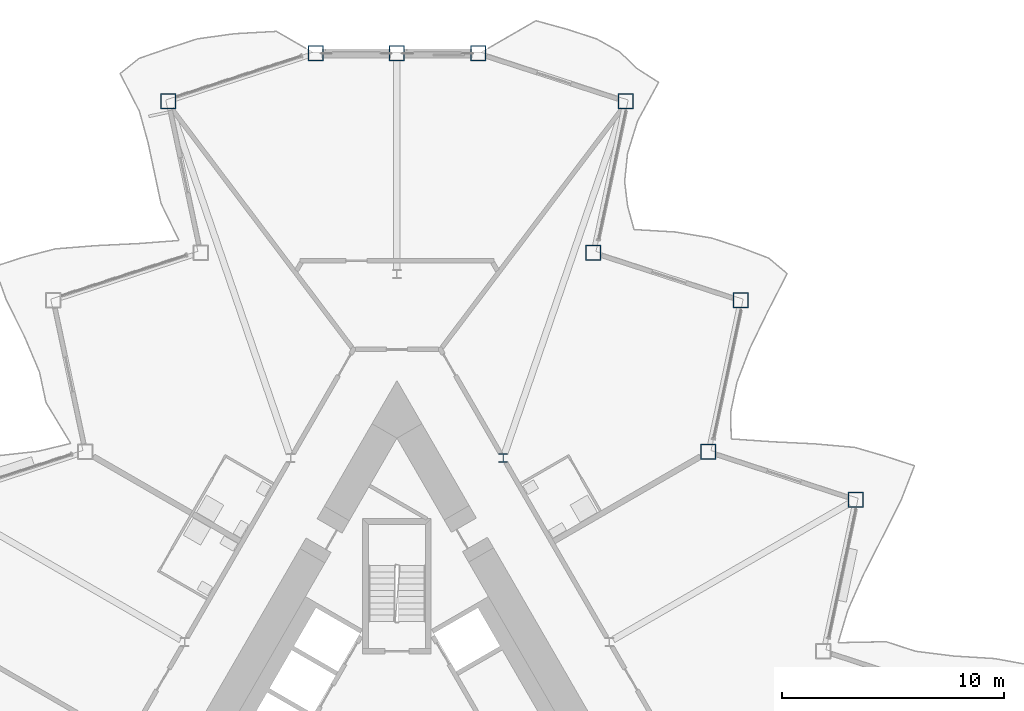
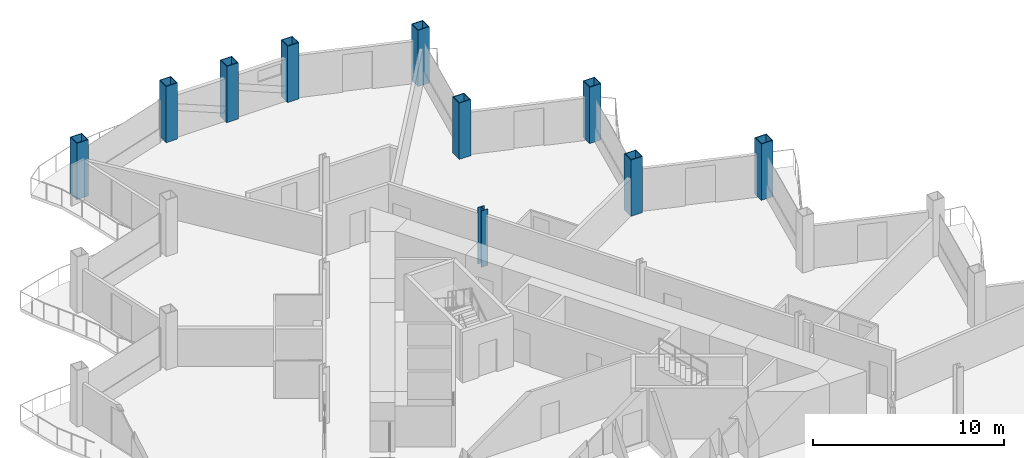
# One storey, part 3 of 24: 10 columns.
"""IFC4 building model written with IfcOpenShell, lengths in metres."""

from ifc_helpers import new_model, si_unit, direction, frame, origin, origin_2d, place, context, subcontext, project, spatial, hollow_rectangle, i_section, extrude, material, material_profile, profile_set, type_object, element, save


model = new_model("IFC4")

# Units and contexts
model_context = context("Model", 3, precision=1e-05, world=origin(), true_north=direction((0.0, 1.0)))
body_context = subcontext(model_context, "Body", "Model", "MODEL_VIEW")
ifc_project = project(units=[si_unit("LENGTHUNIT", "METRE"), si_unit("AREAUNIT", "SQUARE_METRE"), si_unit("VOLUMEUNIT", "CUBIC_METRE"), si_unit("PLANEANGLEUNIT", "RADIAN"), si_unit("MASSUNIT", "GRAM", prefix="KILO")], contexts=[model_context])

# Site, building, storey
site_placement = place(None, origin())
site = spatial("IfcSite", under=ifc_project, at=site_placement, CompositionType="ELEMENT")
building_placement = place(site_placement, origin())
building = spatial("IfcBuilding", under=site, at=building_placement, Name="Cormorant Prow Tower", CompositionType="ELEMENT")
storey_placement = place(building_placement, frame((0.0, 0.0, 274.199951171875)))
storey = spatial("IfcBuildingStorey", under=building, at=storey_placement, Name="L62", CompositionType="ELEMENT", Elevation=274.199951171875)

# Columns
ifc_material_1 = material(Name="Structural steel ASTM A572 Gr 50", Category="steel")
ifc_material_profile_1 = material_profile(ifc_material_1, hollow_rectangle(XDim=0.699951171875, YDim=0.699951171875, WallThickness=0.044921875, at=origin_2d()), Name="Box 700x700x45")
ifc_profile_set_1 = profile_set([ifc_material_profile_1], Name="Structural steel ASTM A572 Gr 50")
column_type_1 = type_object("IfcColumnType", Name="Perimeter box column 700x700x45", PredefinedType="COLUMN", material=ifc_profile_set_1)
for number, where, z_axis, x_axis, name in (
    (1, (20.686767578125, 11.943359375, 0.0), (0.0, 0.0, 1.0), (1.0, 0.0, 0.0), "Perimeter column C5 at ENE05 L62"),
    (2, (14.046875, 14.100830078125, 0.0), (0.0, 0.0, 1.0), (1.0, 0.0, 0.0), "Perimeter column C5 at ENE06 L62"),
    (3, (15.49853515625, 20.9296875, 0.0), (0.0, 0.0, 1.0), (1.0, 0.0, 0.0), "Perimeter column C5 at ENE07 L62"),
    (4, (8.858642578125, 23.087158203125, 0.0), (0.0, 0.0, 1.0), (1.0, 0.0, 0.0), "Perimeter column C5 at ENE08 L62"),
    (5, (10.310302734375, 29.916015625, 0.0), (0.0, 0.0, 1.0), (1.0, 0.0, 0.0), "Perimeter column C5 at ENE09 L62"),
    (6, (3.67041015625, 32.073486328125, 0.0), (0.0, 0.0, 1.0), (1.0, 0.0, 0.0), "Perimeter column C5 at N00 L62"),
    (7, (0.0, 32.073486328125, 0.0), (0.0, 0.0, 1.0), (1.0, 0.0, 0.0), "Perimeter column C5 at N01 L62"),
    (8, (-3.67041015625, 32.073486328125, 0.0), (0.0, 0.0, 1.0), (1.0, 0.0, 0.0), "Perimeter column C5 at WNW00 L62"),
    (9, (-10.310302734375, 29.916015625, 0.0), (0.0, 0.0, 1.0), (1.0, 0.0, 0.0), "Perimeter column C5 at WNW01 L62"),
):
    element("IfcColumn", number, at=place(storey_placement, frame(where, z_axis=z_axis, x_axis=x_axis)), inside=storey, type_object=column_type_1, Name=name, PredefinedType="COLUMN", context=body_context, shape_type="SweptSolid", body=[
        extrude(hollow_rectangle(XDim=0.699951171875, YDim=0.699951171875, WallThickness=0.044921875, at=origin_2d()), origin(), (0.0, 0.0, 1.0), 3.60009765625),
    ])
ifc_material_2 = material(Name="Structural steel ASTM A992 Gr 50", Category="steel")
ifc_material_profile_2 = material_profile(ifc_material_2, i_section(OverallWidth=0.39892578125, OverallDepth=0.393310546875, WebThickness=0.022705078125, FlangeThickness=0.03662109375, at=origin_2d()), Name="W14x193")
ifc_profile_set_2 = profile_set([ifc_material_profile_2], Name="Structural steel ASTM A992 Gr 50")
column_type_2 = type_object("IfcColumnType", Name="Ring column W14x193", PredefinedType="COLUMN", material=ifc_profile_set_2)
column_placement = place(storey_placement, frame((4.789306640625, 13.8251953125, 0.0), z_axis=(0.0, 0.0, 1.0), x_axis=(1.0, 0.0, 0.0)))
element("IfcColumn", 10, at=column_placement, inside=storey, type_object=column_type_2, Name="Ring column 12 L62", PredefinedType="COLUMN", context=body_context, shape_type="SweptSolid", body=[
    extrude(i_section(OverallWidth=0.39892578125, OverallDepth=0.393310546875, WebThickness=0.022705078125, FlangeThickness=0.03662109375, at=origin_2d()), origin(), (0.0, 0.0, 1.0), 3.60009765625),
])

save(model, "model.ifc")
